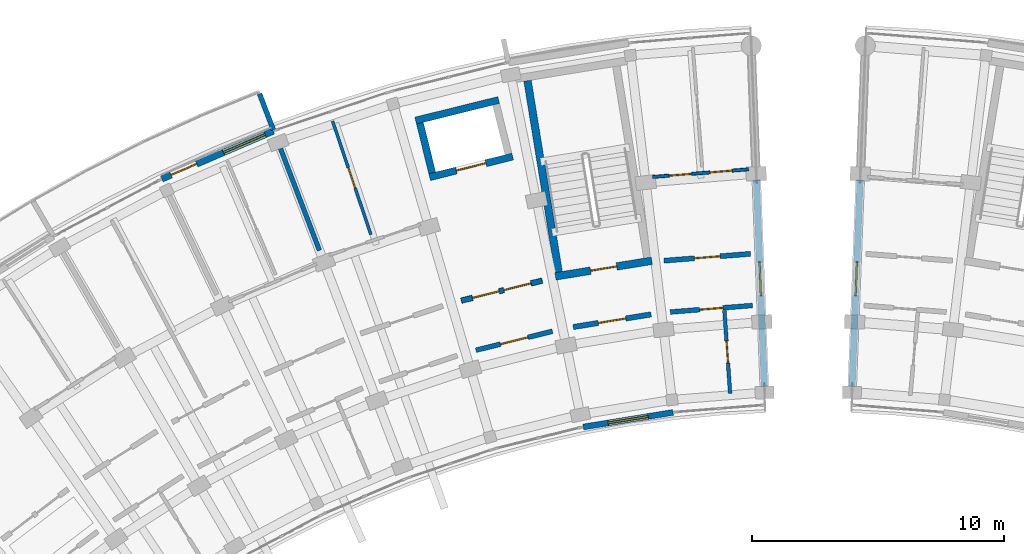
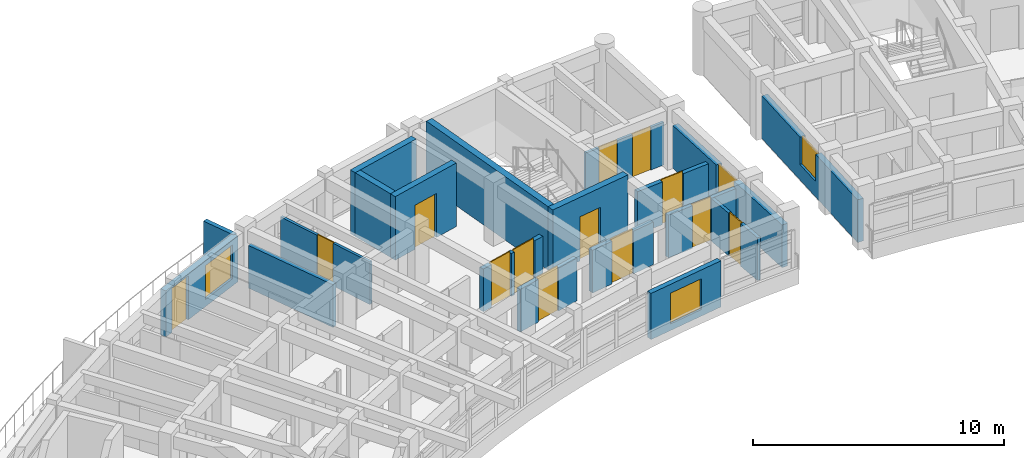
# One storey, part 30 of 55: 19 walls, 13 doors, 4 windows, 17 openings.
"""IFC4 building model written with IfcOpenShell, lengths in metres."""

from ifc_helpers import new_model, si_unit, direction, frame, frame_2d, origin, place, context, subcontext, project, spatial, rectangle, extrude, material, layer, layer_set, type_object, element, fill, save


model = new_model("IFC4")

# Units and contexts
model_context = context("Model", 3, precision=1e-05, world=origin(), true_north=direction((0.0, 1.0)))
body_context = subcontext(model_context, "Body", "Model", "MODEL_VIEW")
ifc_project = project(units=[si_unit("LENGTHUNIT", "METRE"), si_unit("AREAUNIT", "SQUARE_METRE"), si_unit("VOLUMEUNIT", "CUBIC_METRE"), si_unit("PLANEANGLEUNIT", "RADIAN"), si_unit("MASSUNIT", "GRAM", prefix="KILO")], contexts=[model_context])

# Site, building, storey
site_placement = place(None, origin())
site = spatial("IfcSite", under=ifc_project, at=site_placement, CompositionType="ELEMENT")
building_placement = place(site_placement, origin())
building = spatial("IfcBuilding", under=site, at=building_placement, Name="Zimvara Arc Housing Community", CompositionType="ELEMENT")
storey_placement = place(building_placement, frame((0.0, 0.0, 14.300048828125)))
storey = spatial("IfcBuildingStorey", under=building, at=storey_placement, Name="L04", CompositionType="ELEMENT", Elevation=14.300048828125)

# Wall, opening, window
ifc_material_1 = material(Name="Board-Marked Fair-Faced Concrete C35/45", Category="concrete")
ifc_layer_1 = layer(ifc_material_1, 0.22998046875)
ifc_layer_set_1 = layer_set([ifc_layer_1], Name="Board-Marked Fair-Faced Concrete C35/45")
wall_type_1 = type_object("IfcWallType", Name="EWL-CONC-230", PredefinedType="SOLIDWALL", material=ifc_layer_set_1)
wall_1_placement = place(storey_placement, frame((36.078125, 88.218017578125, 0.0), z_axis=(0.0, 0.0, 1.0), x_axis=(0.987080874485, 0.160222804952, 0.0)))
wall_1 = element("IfcWall", 1, at=wall_1_placement, inside=storey, type_object=wall_type_1, Name="ewall:blkA:L04:in:b8", PredefinedType="SOLIDWALL", context=body_context, shape_type="SweptSolid", body=[
    extrude(rectangle(XDim=3.603759765625, YDim=0.22998046875, at=frame_2d((1.8017578125, 0.0))), origin(), (0.0, 0.0, 1.0), 2.25),
])
opening_1_placement = place(wall_1_placement, frame((1.001708984375, 0.0, 0.320068359375)))
opening_1 = element("IfcOpeningElement", 2, at=opening_1_placement, cuts=wall_1, Name="Opening W03", PredefinedType="OPENING", context=body_context, shape_type="SweptSolid", body=[
    extrude(rectangle(XDim=1.60009765625, YDim=1.5, at=frame_2d((0.800048828125, 0.75))), frame((0.0, 0.125, 0.0), z_axis=(0.0, -1.0, 0.0), x_axis=(1.0, 0.0, 0.0)), (0.0, 0.0, 1.0), 0.25),
])
ifc_material_2 = material(Name="Solar Control Low-E Double Glazing", Category="glass")
window_type_1 = type_object("IfcWindowType", Name="WIN-RES-1600x1500", PartitioningType="DOUBLE_PANEL_VERTICAL", PredefinedType="WINDOW", material=ifc_material_2)
window_1_placement = place(opening_1_placement, origin())
window_1 = element("IfcWindow", 3, at=window_1_placement, inside=storey, type_object=window_type_1, Name="win:blkA:L04:in:b8", OverallHeight=1.5, OverallWidth=1.60009765625, PartitioningType="DOUBLE_PANEL_VERTICAL", PredefinedType="WINDOW", context=body_context, shape_type="SweptSolid", body=[
    extrude(rectangle(XDim=1.60009765625, YDim=1.5, at=frame_2d((0.800048828125, 0.75))), frame((0.0, 0.030029296875, 0.0), z_axis=(0.0, -1.0, 0.0), x_axis=(1.0, 0.0, 0.0)), (0.0, 0.0, 1.0), 0.06005859375),
])
fill(opening_1, window_1)

ifc_material_3 = material(Name="Board-Marked Fair-Faced Concrete C35/45", Category="concrete")
ifc_layer_2 = layer(ifc_material_3, 0.264892578125)
ifc_layer_set_2 = layer_set([ifc_layer_2], Name="Board-Marked Fair-Faced Concrete C35/45")
wall_type_2 = type_object("IfcWallType", Name="EWL-CONC-265", PredefinedType="SOLIDWALL", material=ifc_layer_set_2)
wall_2_placement = place(storey_placement, frame((43.2587890625, 89.82666015625, 0.0), z_axis=(0.0, 0.0, 1.0), x_axis=(-0.038407966241, 0.999262141847, 0.0)))
wall_2 = element("IfcWall", 4, at=wall_2_placement, inside=storey, type_object=wall_type_2, Name="ewall:blkA:L04:gN", PredefinedType="SOLIDWALL", context=body_context, shape_type="SweptSolid", body=[
    extrude(rectangle(XDim=8.199951171875, YDim=0.264892578125, at=frame_2d((4.10009765625, 0.0))), origin(), (0.0, 0.0, 1.0), 2.079833984375),
])
opening_2_placement = place(wall_2_placement, frame((3.590087890625, 0.0, 0.75)))
opening_2 = element("IfcOpeningElement", 5, at=opening_2_placement, cuts=wall_2, Name="Opening W12", PredefinedType="OPENING", context=body_context, shape_type="SweptSolid", body=[
    extrude(rectangle(XDim=1.35009765625, YDim=1.35009765625, at=frame_2d((0.675048828125, 0.675048828125))), frame((0.0, 0.142333984375, 0.0), z_axis=(0.0, -1.0, 0.0), x_axis=(1.0, 0.0, 0.0)), (0.0, 0.0, 1.0), 0.284912109375),
])
ifc_material_4 = material(Name="Solar Control Low-E Double Glazing", Category="glass")
window_type_2 = type_object("IfcWindowType", Name="WIN-RES-1350x1350", PartitioningType="DOUBLE_PANEL_VERTICAL", PredefinedType="WINDOW", material=ifc_material_4)
window_2_placement = place(opening_2_placement, origin())
window_2 = element("IfcWindow", 6, at=window_2_placement, inside=storey, type_object=window_type_2, Name="win:blkA:L04:gN:w", OverallHeight=1.35009765625, OverallWidth=1.35009765625, PartitioningType="DOUBLE_PANEL_VERTICAL", PredefinedType="WINDOW", context=body_context, shape_type="SweptSolid", body=[
    extrude(rectangle(XDim=1.35009765625, YDim=1.35009765625, at=frame_2d((0.675048828125, 0.675048828125))), frame((0.0, 0.030029296875, 0.0), z_axis=(0.0, -1.0, 0.0), x_axis=(1.0, 0.0, 0.0)), (0.0, 0.0, 1.0), 0.06005859375),
])
fill(opening_2, window_2)

wall_3_placement = place(storey_placement, frame((46.7412109375, 89.82666015625, 0.0), z_axis=(0.0, 0.0, 1.0), x_axis=(0.038407966241, 0.999262141847, 0.0)))
wall_3 = element("IfcWall", 7, at=wall_3_placement, inside=storey, type_object=wall_type_2, Name="ewall:blkB:L04:g0", PredefinedType="SOLIDWALL", context=body_context, shape_type="SweptSolid", body=[
    extrude(rectangle(XDim=8.199951171875, YDim=0.264892578125, at=frame_2d((4.10009765625, 0.0))), origin(), (0.0, 0.0, 1.0), 2.079833984375),
])
opening_3_placement = place(wall_3_placement, frame((3.590087890625, 0.0, 0.75)))
opening_3 = element("IfcOpeningElement", 8, at=opening_3_placement, cuts=wall_3, Name="Opening W12", PredefinedType="OPENING", context=body_context, shape_type="SweptSolid", body=[
    extrude(rectangle(XDim=1.35009765625, YDim=1.35009765625, at=frame_2d((0.675048828125, 0.675048828125))), frame((0.0, 0.142333984375, 0.0), z_axis=(0.0, -1.0, 0.0), x_axis=(1.0, 0.0, 0.0)), (0.0, 0.0, 1.0), 0.284912109375),
])
window_3_placement = place(opening_3_placement, origin())
window_3 = element("IfcWindow", 9, at=window_3_placement, inside=storey, type_object=window_type_2, Name="win:blkB:L04:g0:w", OverallHeight=1.35009765625, OverallWidth=1.35009765625, PartitioningType="DOUBLE_PANEL_VERTICAL", PredefinedType="WINDOW", context=body_context, shape_type="SweptSolid", body=[
    extrude(rectangle(XDim=1.35009765625, YDim=1.35009765625, at=frame_2d((0.675048828125, 0.675048828125))), frame((0.0, 0.030029296875, 0.0), z_axis=(0.0, -1.0, 0.0), x_axis=(1.0, 0.0, 0.0)), (0.0, 0.0, 1.0), 0.06005859375),
])
fill(opening_3, window_3)

# Wall
ifc_material_5 = material(Name="Board-Marked Fair-Faced Concrete C35/45", Category="concrete")
ifc_layer_3 = layer(ifc_material_5, 0.195068359375)
ifc_layer_set_3 = layer_set([ifc_layer_3], Name="Board-Marked Fair-Faced Concrete C35/45")
wall_type_3 = type_object("IfcWallType", Name="EWL-PARA-195", PredefinedType="PARAPET", material=ifc_layer_set_3)
wall_4_placement = place(storey_placement, frame((23.783203125, 100.0029296875, 0.0), z_axis=(0.0, 0.0, 1.0), x_axis=(-0.356957296461, 0.934120703391, 0.0)))
element("IfcWall", 10, at=wall_4_placement, inside=storey, type_object=wall_type_3, Name="finwall:blkA:L04:out:b6", PredefinedType="PARAPET", context=body_context, shape_type="SweptSolid", body=[
    extrude(rectangle(XDim=1.530029296875, YDim=0.195068359375, at=frame_2d((0.76513671875, 0.0))), origin(), (0.0, 0.0, 1.0), 2.25),
])

# Wall, openings, door, window
ifc_material_6 = material(Name="Board-Marked Fair-Faced Concrete C35/45", Category="concrete")
ifc_layer_4 = layer(ifc_material_6, 0.261962890625)
ifc_layer_set_4 = layer_set([ifc_layer_4], Name="Board-Marked Fair-Faced Concrete C35/45")
wall_type_4 = type_object("IfcWallType", Name="EWL-VAR-20", PredefinedType="SOLIDWALL", material=ifc_layer_set_4)
wall_5_placement = place(storey_placement, frame((19.361083984375, 98.05859375, 0.0), z_axis=(0.0, 0.0, 1.0), x_axis=(0.918711189033, 0.394930058548, 0.0)))
wall_5 = element("IfcWall", 11, at=wall_5_placement, inside=storey, type_object=wall_type_4, Name="ewall:blkA:L04:out:b5", PredefinedType="SOLIDWALL", context=body_context, shape_type="SweptSolid", body=[
    extrude(rectangle(XDim=4.808837890625, YDim=0.261962890625, at=frame_2d((2.404296875, 0.0))), origin(), (0.0, 0.0, 1.0), 2.25),
])
opening_4_placement = place(wall_5_placement, frame((0.39990234375, 0.0, 0.0)))
opening_4 = element("IfcOpeningElement", 12, at=opening_4_placement, cuts=wall_5, Name="Opening ED06", PredefinedType="OPENING", context=body_context, shape_type="SweptSolid", body=[
    extrude(rectangle(XDim=1.10009765625, YDim=2.14990234375, at=frame_2d((0.550048828125, 1.074951171875))), frame((0.0, 0.140869140625, 0.0), z_axis=(0.0, -1.0, 0.0), x_axis=(1.0, 0.0, 0.0)), (0.0, 0.0, 1.0), 0.281982421875),
])
opening_5_placement = place(wall_5_placement, frame((2.658935546875, 0.0, 0.35009765625)))
opening_5 = element("IfcOpeningElement", 13, at=opening_5_placement, cuts=wall_5, Name="Opening W08", PredefinedType="OPENING", context=body_context, shape_type="SweptSolid", body=[
    extrude(rectangle(XDim=1.800048828125, YDim=1.64990234375, at=frame_2d((0.89990234375, 0.824951171875))), frame((0.0, 0.140869140625, 0.0), z_axis=(0.0, -1.0, 0.0), x_axis=(1.0, 0.0, 0.0)), (0.0, 0.0, 1.0), 0.281982421875),
])
ifc_material_7 = material(Name="Anodised Aluminium AW-6063", Category="aluminium")
door_type_1 = type_object("IfcDoorType", Name="EDR-TERR-1100x2150", OperationType="NOTDEFINED", PredefinedType="DOOR", material=ifc_material_7)
door_1_placement = place(opening_4_placement, origin())
door_1 = element("IfcDoor", 14, at=door_1_placement, inside=storey, type_object=door_type_1, Name="edoor:blkA:L04:bal_out:b5", OperationType="SINGLE_SWING_LEFT", OverallHeight=2.14990234375, OverallWidth=1.10009765625, PredefinedType="DOOR", context=body_context, shape_type="SweptSolid", body=[
    extrude(rectangle(XDim=1.10009765625, YDim=2.14990234375, at=frame_2d((0.550048828125, 1.074951171875))), frame((0.0, 0.02490234375, 0.0), z_axis=(0.0, -1.0, 0.0), x_axis=(1.0, 0.0, 0.0)), (0.0, 0.0, 1.0), 0.050048828125),
])
fill(opening_4, door_1)
ifc_material_8 = material(Name="Solar Control Low-E Double Glazing", Category="glass")
window_type_3 = type_object("IfcWindowType", Name="WIN-RES-1800x1650", PartitioningType="TRIPLE_PANEL_VERTICAL", PredefinedType="WINDOW", material=ifc_material_8)
window_4_placement = place(opening_5_placement, origin())
window_4 = element("IfcWindow", 15, at=window_4_placement, inside=storey, type_object=window_type_3, Name="win:blkA:L04:out:b5:balw", OverallHeight=1.64990234375, OverallWidth=1.800048828125, PartitioningType="TRIPLE_PANEL_VERTICAL", PredefinedType="WINDOW", context=body_context, shape_type="SweptSolid", body=[
    extrude(rectangle(XDim=1.800048828125, YDim=1.64990234375, at=frame_2d((0.89990234375, 0.824951171875))), frame((0.0, 0.030029296875, 0.0), z_axis=(0.0, -1.0, 0.0), x_axis=(1.0, 0.0, 0.0)), (0.0, 0.0, 1.0), 0.06005859375),
])
fill(opening_5, window_4)

# Wall, openings, doors
ifc_material_9 = material(Name="Concrete C35/45", Category="concrete")
ifc_layer_5 = layer(ifc_material_9, 0.2099609375)
ifc_layer_set_5 = layer_set([ifc_layer_5], Name="Concrete C35/45")
wall_type_5 = type_object("IfcWallType", Name="IWL-CCF-210", PredefinedType="SOLIDWALL", material=ifc_layer_set_5)
wall_6_placement = place(storey_placement, frame((31.242919921875, 93.22998046875, 0.0), z_axis=(0.0, 0.0, 1.0), x_axis=(0.970719238682, 0.240216901263, 0.0)))
wall_6 = element("IfcWall", 16, at=wall_6_placement, inside=storey, type_object=wall_type_5, Name="iwall:blkA:L04:ll_div:b7", PredefinedType="SOLIDWALL", context=body_context, shape_type="SweptSolid", body=[
    extrude(rectangle(XDim=3.2958984375, YDim=0.2099609375, at=frame_2d((1.64794921875, 0.0))), origin(), (0.0, 0.0, 1.0), 2.079833984375),
])
opening_6_placement = place(wall_6_placement, frame((0.449951171875, 0.0, 0.0)))
opening_6 = element("IfcOpeningElement", 17, at=opening_6_placement, cuts=wall_6, Name="Opening FD-CCF1", PredefinedType="OPENING", context=body_context, shape_type="SweptSolid", body=[
    extrude(rectangle(XDim=1.10009765625, YDim=2.14990234375, at=frame_2d((0.550048828125, 1.074951171875))), frame((0.0, 0.114990234375, 0.0), z_axis=(0.0, -1.0, 0.0), x_axis=(1.0, 0.0, 0.0)), (0.0, 0.0, 1.0), 0.22998046875),
])
opening_7_placement = place(wall_6_placement, frame((1.72607421875, 0.0, 0.0)))
opening_7 = element("IfcOpeningElement", 18, at=opening_7_placement, cuts=wall_6, Name="Opening D07", PredefinedType="OPENING", context=body_context, shape_type="SweptSolid", body=[
    extrude(rectangle(XDim=1.1201171875, YDim=2.14990234375, at=frame_2d((0.56005859375, 1.074951171875))), frame((0.0, 0.114990234375, 0.0), z_axis=(0.0, -1.0, 0.0), x_axis=(1.0, 0.0, 0.0)), (0.0, 0.0, 1.0), 0.22998046875),
])
ifc_material_10 = material(Name="Mozambican Hardwood", Category="wood")
door_type_2 = type_object("IfcDoorType", Name="IDR-AMN-1120x2150", OperationType="NOTDEFINED", PredefinedType="DOOR", material=ifc_material_10)
door_2_placement = place(opening_7_placement, origin())
door_2 = element("IfcDoor", 19, at=door_2_placement, inside=storey, type_object=door_type_2, Name="idoor:blkA:L04:rs_in:b7", OperationType="SINGLE_SWING_LEFT", OverallHeight=2.14990234375, OverallWidth=1.1201171875, PredefinedType="DOOR", context=body_context, shape_type="SweptSolid", body=[
    extrude(rectangle(XDim=1.1201171875, YDim=2.14990234375, at=frame_2d((0.56005859375, 1.074951171875))), frame((0.0, 0.02490234375, 0.0), z_axis=(0.0, -1.0, 0.0), x_axis=(1.0, 0.0, 0.0)), (0.0, 0.0, 1.0), 0.050048828125),
])
fill(opening_7, door_2)
ifc_material_11 = material(Name="Anodised Aluminium AW-6063", Category="aluminium")
door_type_3 = type_object("IfcDoorType", Name="IDR-CCF-1100x2150", OperationType="NOTDEFINED", PredefinedType="DOOR", material=ifc_material_11)
door_3_placement = place(opening_6_placement, origin())
door_3 = element("IfcDoor", 20, at=door_3_placement, inside=storey, type_object=door_type_3, Name="idoor:blkA:L04:ll_in:b7", OperationType="SINGLE_SWING_RIGHT", OverallHeight=2.14990234375, OverallWidth=1.10009765625, PredefinedType="DOOR", context=body_context, shape_type="SweptSolid", body=[
    extrude(rectangle(XDim=1.10009765625, YDim=2.14990234375, at=frame_2d((0.550048828125, 1.074951171875))), frame((0.0, 0.02490234375, 0.0), z_axis=(0.0, -1.0, 0.0), x_axis=(1.0, 0.0, 0.0)), (0.0, 0.0, 1.0), 0.050048828125),
])
fill(opening_6, door_3)

# Wall, opening, door
wall_7_placement = place(storey_placement, frame((35.675537109375, 92.181396484375, 0.0), z_axis=(0.0, 0.0, 1.0), x_axis=(0.98707079686, 0.160284877599, 0.0)))
wall_7 = element("IfcWall", 21, at=wall_7_placement, inside=storey, type_object=wall_type_5, Name="iwall:blkA:L04:ccf_div:b8", PredefinedType="SOLIDWALL", context=body_context, shape_type="SweptSolid", body=[
    extrude(rectangle(XDim=3.128662109375, YDim=0.2099609375, at=frame_2d((1.564453125, 0.0))), origin(), (0.0, 0.0, 1.0), 2.079833984375),
])
opening_8_placement = place(wall_7_placement, frame((1.014404296875, 0.0, 0.0)))
opening_8 = element("IfcOpeningElement", 22, at=opening_8_placement, cuts=wall_7, Name="Opening FD-CCF1", PredefinedType="OPENING", context=body_context, shape_type="SweptSolid", body=[
    extrude(rectangle(XDim=1.10009765625, YDim=2.14990234375, at=frame_2d((0.550048828125, 1.074951171875))), frame((0.0, 0.114990234375, 0.0), z_axis=(0.0, -1.0, 0.0), x_axis=(1.0, 0.0, 0.0)), (0.0, 0.0, 1.0), 0.22998046875),
])
door_4_placement = place(opening_8_placement, origin())
door_4 = element("IfcDoor", 23, at=door_4_placement, inside=storey, type_object=door_type_3, Name="idoor:blkA:L04:ccf_in:b8", OperationType="SINGLE_SWING_LEFT", OverallHeight=2.14990234375, OverallWidth=1.10009765625, PredefinedType="DOOR", context=body_context, shape_type="SweptSolid", body=[
    extrude(rectangle(XDim=1.10009765625, YDim=2.14990234375, at=frame_2d((0.550048828125, 1.074951171875))), frame((0.0, 0.02490234375, 0.0), z_axis=(0.0, -1.0, 0.0), x_axis=(1.0, 0.0, 0.0)), (0.0, 0.0, 1.0), 0.050048828125),
])
fill(opening_8, door_4)

ifc_material_12 = material(Name="Concrete C35/45", Category="concrete")
ifc_layer_6 = layer(ifc_material_12, 0.18994140625)
ifc_layer_set_6 = layer_set([ifc_layer_6], Name="Concrete C35/45")
wall_type_6 = type_object("IfcWallType", Name="IWL-CORR-190", PredefinedType="SOLIDWALL", material=ifc_layer_set_6)
wall_8_placement = place(storey_placement, frame((31.816162109375, 91.26171875, 0.0), z_axis=(0.0, 0.0, 1.0), x_axis=(0.970727194092, 0.240184751078, 0.0)))
wall_8 = element("IfcWall", 24, at=wall_8_placement, inside=storey, type_object=wall_type_6, Name="iwall:blkA:L04:ra_div:b7", PredefinedType="SOLIDWALL", context=body_context, shape_type="SweptSolid", body=[
    extrude(rectangle(XDim=3.128662109375, YDim=0.18994140625, at=frame_2d((1.564453125, 0.0))), origin(), (0.0, 0.0, 1.0), 2.079833984375),
])
opening_9_placement = place(wall_8_placement, frame((1.00439453125, 0.0, 0.0)))
opening_9 = element("IfcOpeningElement", 25, at=opening_9_placement, cuts=wall_8, Name="Opening D07", PredefinedType="OPENING", context=body_context, shape_type="SweptSolid", body=[
    extrude(rectangle(XDim=1.1201171875, YDim=2.14990234375, at=frame_2d((0.56005859375, 1.074951171875))), frame((0.0, 0.10498046875, 0.0), z_axis=(0.0, -1.0, 0.0), x_axis=(1.0, 0.0, 0.0)), (0.0, 0.0, 1.0), 0.2099609375),
])
door_5_placement = place(opening_9_placement, origin())
door_5 = element("IfcDoor", 26, at=door_5_placement, inside=storey, type_object=door_type_2, Name="idoor:blkA:L04:ra_d:b7", OperationType="SINGLE_SWING_RIGHT", OverallHeight=2.14990234375, OverallWidth=1.1201171875, PredefinedType="DOOR", context=body_context, shape_type="SweptSolid", body=[
    extrude(rectangle(XDim=1.1201171875, YDim=2.14990234375, at=frame_2d((0.56005859375, 1.074951171875))), frame((0.0, 0.02490234375, 0.0), z_axis=(0.0, -1.0, 0.0), x_axis=(1.0, 0.0, 0.0)), (0.0, 0.0, 1.0), 0.050048828125),
])
fill(opening_9, door_5)

wall_9_placement = place(storey_placement, frame((39.527099609375, 92.77783203125, 0.0), z_axis=(0.0, 0.0, 1.0), x_axis=(0.99686660806, 0.07910098441, 0.0)))
wall_9 = element("IfcWall", 27, at=wall_9_placement, inside=storey, type_object=wall_type_6, Name="iwall:blkA:L04:corr_in:b9", PredefinedType="SOLIDWALL", context=body_context, shape_type="SweptSolid", body=[
    extrude(rectangle(XDim=3.2685546875, YDim=0.18994140625, at=frame_2d((1.63427734375, 0.0))), origin(), (0.0, 0.0, 1.0), 2.079833984375),
])
opening_10_placement = place(wall_9_placement, frame((1.17431640625, 0.0, 0.0)))
opening_10 = element("IfcOpeningElement", 28, at=opening_10_placement, cuts=wall_9, Name="Opening D02", PredefinedType="OPENING", context=body_context, shape_type="SweptSolid", body=[
    extrude(rectangle(XDim=0.919921875, YDim=2.10009765625, at=frame_2d((0.4599609375, 1.050048828125))), frame((0.0, 0.10498046875, 0.0), z_axis=(0.0, -1.0, 0.0), x_axis=(1.0, 0.0, 0.0)), (0.0, 0.0, 1.0), 0.2099609375),
])
ifc_material_13 = material(Name="Mozambican Hardwood", Category="wood")
door_type_4 = type_object("IfcDoorType", Name="IDR-RM-0920x2100", OperationType="NOTDEFINED", PredefinedType="DOOR", material=ifc_material_13)
door_6_placement = place(opening_10_placement, origin())
door_6 = element("IfcDoor", 29, at=door_6_placement, inside=storey, type_object=door_type_4, Name="idoor:blkA:L04:in_rm:b9", OperationType="SINGLE_SWING_LEFT", OverallHeight=2.10009765625, OverallWidth=0.919921875, PredefinedType="DOOR", context=body_context, shape_type="SweptSolid", body=[
    extrude(rectangle(XDim=0.919921875, YDim=2.10009765625, at=frame_2d((0.4599609375, 1.050048828125))), frame((0.0, 0.02490234375, 0.0), z_axis=(0.0, -1.0, 0.0), x_axis=(1.0, 0.0, 0.0)), (0.0, 0.0, 1.0), 0.050048828125),
])
fill(opening_10, door_6)

ifc_material_14 = material(Name="Concrete C35/45", Category="concrete")
ifc_layer_7 = layer(ifc_material_14, 0.199951171875)
ifc_layer_set_7 = layer_set([ifc_layer_7], Name="Concrete C35/45")
wall_type_7 = type_object("IfcWallType", Name="IWL-CORR-200", PredefinedType="SOLIDWALL", material=ifc_layer_set_7)
wall_10_placement = place(storey_placement, frame((39.281494140625, 94.81298828125, 0.0), z_axis=(0.0, 0.0, 1.0), x_axis=(0.996862545573, 0.079152165058, 0.0)))
wall_10 = element("IfcWall", 30, at=wall_10_placement, inside=storey, type_object=wall_type_7, Name="iwall:blkA:L04:corr_out:b9", PredefinedType="SOLIDWALL", context=body_context, shape_type="SweptSolid", body=[
    extrude(rectangle(XDim=3.43603515625, YDim=0.199951171875, at=frame_2d((1.718017578125, 0.0))), origin(), (0.0, 0.0, 1.0), 2.079833984375),
])
opening_11_placement = place(wall_10_placement, frame((1.2080078125, 0.0, 0.0)))
opening_11 = element("IfcOpeningElement", 31, at=opening_11_placement, cuts=wall_10, Name="Opening FD-FL2", PredefinedType="OPENING", context=body_context, shape_type="SweptSolid", body=[
    extrude(rectangle(XDim=1.02001953125, YDim=2.14990234375, at=frame_2d((0.510009765625, 1.074951171875))), frame((0.0, 0.10986328125, 0.0), z_axis=(0.0, -1.0, 0.0), x_axis=(1.0, 0.0, 0.0)), (0.0, 0.0, 1.0), 0.219970703125),
])
ifc_material_15 = material(Name="Mozambican Hardwood", Category="wood")
door_type_5 = type_object("IfcDoorType", Name="IDR-FLAT-1020x2150", OperationType="NOTDEFINED", PredefinedType="DOOR", material=ifc_material_15)
door_7_placement = place(opening_11_placement, origin())
door_7 = element("IfcDoor", 32, at=door_7_placement, inside=storey, type_object=door_type_5, Name="idoor:blkA:L04:flat:b9", OperationType="SINGLE_SWING_RIGHT", OverallHeight=2.14990234375, OverallWidth=1.02001953125, PredefinedType="DOOR", context=body_context, shape_type="SweptSolid", body=[
    extrude(rectangle(XDim=1.02001953125, YDim=2.14990234375, at=frame_2d((0.510009765625, 1.074951171875))), frame((0.0, 0.02490234375, 0.0), z_axis=(0.0, -1.0, 0.0), x_axis=(1.0, 0.0, 0.0)), (0.0, 0.0, 1.0), 0.050048828125),
])
fill(opening_11, door_7)

# Wall
ifc_material_16 = material(Name="Concrete C35/45", Category="concrete")
ifc_layer_8 = layer(ifc_material_16, 0.18505859375)
ifc_layer_set_8 = layer_set([ifc_layer_8], Name="Concrete C35/45")
wall_type_8 = type_object("IfcWallType", Name="IWL-FLAT-185", PredefinedType="SOLIDWALL", material=ifc_layer_set_8)
wall_11_placement = place(storey_placement, frame((25.611328125, 95.220458984375, 0.0), z_axis=(0.0, 0.0, 1.0), x_axis=(-0.357064016205, 0.934079915388, 0.0)))
element("IfcWall", 33, at=wall_11_placement, inside=storey, type_object=wall_type_8, Name="iwall:blkA:L04:party:b6", PredefinedType="SOLIDWALL", context=body_context, shape_type="SweptSolid", body=[
    extrude(rectangle(XDim=4.35009765625, YDim=0.18505859375, at=frame_2d((2.175048828125, 0.0))), origin(), (0.0, 0.0, 1.0), 2.079833984375),
])

# Wall, opening, door
ifc_material_17 = material(Name="Painted Acoustic Plasterboard")
ifc_layer_9 = layer(ifc_material_17, 0.1201171875)
ifc_layer_set_9 = layer_set([ifc_layer_9], Name="Painted Acoustic Plasterboard")
wall_type_9 = type_object("IfcWallType", Name="IWL-PART-120", PredefinedType="PARTITIONING", material=ifc_layer_set_9)
wall_12_placement = place(storey_placement, frame((27.65283203125, 95.848876953125, 0.0), z_axis=(0.0, 0.0, 1.0), x_axis=(-0.320049134076, 0.947400945628, 0.0)))
wall_12 = element("IfcWall", 34, at=wall_12_placement, inside=storey, type_object=wall_type_9, Name="iwall:blkA:L04:bed_div:b6", PredefinedType="PARTITIONING", context=body_context, shape_type="SweptSolid", body=[
    extrude(rectangle(XDim=4.75, YDim=0.1201171875, at=frame_2d((2.375, 0.0))), origin(), (0.0, 0.0, 1.0), 2.079833984375),
])
opening_12_placement = place(wall_12_placement, frame((1.949951171875, 0.0, 0.0)))
opening_12 = element("IfcOpeningElement", 35, at=opening_12_placement, cuts=wall_12, Name="Opening D11", PredefinedType="OPENING", context=body_context, shape_type="SweptSolid", body=[
    extrude(rectangle(XDim=0.85009765625, YDim=2.10009765625, at=frame_2d((0.425048828125, 1.050048828125))), frame((0.0, 0.070068359375, 0.0), z_axis=(0.0, -1.0, 0.0), x_axis=(1.0, 0.0, 0.0)), (0.0, 0.0, 1.0), 0.14013671875),
])
ifc_material_18 = material(Name="Mozambican Hardwood", Category="wood")
door_type_6 = type_object("IfcDoorType", Name="IDR-MOD-850x2060", OperationType="NOTDEFINED", PredefinedType="DOOR", material=ifc_material_18)
door_8_placement = place(opening_12_placement, origin())
door_8 = element("IfcDoor", 36, at=door_8_placement, inside=storey, type_object=door_type_6, Name="idoor:blkA:L04:bed_d:b6", OperationType="SINGLE_SWING_LEFT", OverallHeight=2.10009765625, OverallWidth=0.85009765625, PredefinedType="DOOR", context=body_context, shape_type="SweptSolid", body=[
    extrude(rectangle(XDim=0.85009765625, YDim=2.10009765625, at=frame_2d((0.425048828125, 1.050048828125))), frame((0.0, 0.02490234375, 0.0), z_axis=(0.0, -1.0, 0.0), x_axis=(1.0, 0.0, 0.0)), (0.0, 0.0, 1.0), 0.050048828125),
])
fill(opening_12, door_8)

# Wall, openings, doors
wall_13_placement = place(storey_placement, frame((38.830322265625, 98.135009765625, 0.0), z_axis=(0.0, 0.0, 1.0), x_axis=(0.996862985267, 0.079146627246, 0.0)))
wall_13 = element("IfcWall", 37, at=wall_13_placement, inside=storey, type_object=wall_type_9, Name="iwall:blkA:L04:srv:b9", PredefinedType="PARTITIONING", context=body_context, shape_type="SweptSolid", body=[
    extrude(rectangle(XDim=3.8095703125, YDim=0.1201171875, at=frame_2d((1.90478515625, 0.0))), origin(), (0.0, 0.0, 1.0), 2.079833984375),
])
opening_13_placement = place(wall_13_placement, frame((0.64990234375, 0.0, 0.0)))
opening_13 = element("IfcOpeningElement", 38, at=opening_13_placement, cuts=wall_13, Name="Opening D01", PredefinedType="OPENING", context=body_context, shape_type="SweptSolid", body=[
    extrude(rectangle(XDim=0.89990234375, YDim=2.10009765625, at=frame_2d((0.449951171875, 1.050048828125))), frame((0.0, 0.070068359375, 0.0), z_axis=(0.0, -1.0, 0.0), x_axis=(1.0, 0.0, 0.0)), (0.0, 0.0, 1.0), 0.14013671875),
])
opening_14_placement = place(wall_13_placement, frame((2.279541015625, 0.0, 0.0)))
opening_14 = element("IfcOpeningElement", 39, at=opening_14_placement, cuts=wall_13, Name="Opening D05", PredefinedType="OPENING", context=body_context, shape_type="SweptSolid", body=[
    extrude(rectangle(XDim=0.8798828125, YDim=2.10009765625, at=frame_2d((0.43994140625, 1.050048828125))), frame((0.0, 0.070068359375, 0.0), z_axis=(0.0, -1.0, 0.0), x_axis=(1.0, 0.0, 0.0)), (0.0, 0.0, 1.0), 0.14013671875),
])
ifc_material_19 = material(Name="Mozambican Hardwood", Category="wood")
door_type_7 = type_object("IfcDoorType", Name="IDR-RM-0900x2100", OperationType="NOTDEFINED", PredefinedType="DOOR", material=ifc_material_19)
door_9_placement = place(opening_13_placement, origin())
door_9 = element("IfcDoor", 40, at=door_9_placement, inside=storey, type_object=door_type_7, Name="idoor:blkA:L04:kit_liv:b9", OperationType="SINGLE_SWING_LEFT", OverallHeight=2.10009765625, OverallWidth=0.89990234375, PredefinedType="DOOR", context=body_context, shape_type="SweptSolid", body=[
    extrude(rectangle(XDim=0.89990234375, YDim=2.10009765625, at=frame_2d((0.449951171875, 1.050048828125))), frame((0.0, 0.02490234375, 0.0), z_axis=(0.0, -1.0, 0.0), x_axis=(1.0, 0.0, 0.0)), (0.0, 0.0, 1.0), 0.050048828125),
])
fill(opening_13, door_9)
ifc_material_20 = material(Name="Mozambican Hardwood", Category="wood")
door_type_8 = type_object("IfcDoorType", Name="IDR-WC-0880x2100", OperationType="NOTDEFINED", PredefinedType="DOOR", material=ifc_material_20)
door_10_placement = place(opening_14_placement, origin())
door_10 = element("IfcDoor", 41, at=door_10_placement, inside=storey, type_object=door_type_8, Name="idoor:blkA:L04:bath_d:b9", OperationType="SINGLE_SWING_RIGHT", OverallHeight=2.10009765625, OverallWidth=0.8798828125, PredefinedType="DOOR", context=body_context, shape_type="SweptSolid", body=[
    extrude(rectangle(XDim=0.8798828125, YDim=2.10009765625, at=frame_2d((0.43994140625, 1.050048828125))), frame((0.0, 0.02490234375, 0.0), z_axis=(0.0, -1.0, 0.0), x_axis=(1.0, 0.0, 0.0)), (0.0, 0.0, 1.0), 0.050048828125),
])
fill(opening_14, door_10)

# Wall, opening, door
ifc_material_21 = material(Name="Painted Acoustic Plasterboard")
ifc_layer_10 = layer(ifc_material_21, 0.14501953125)
ifc_layer_set_10 = layer_set([ifc_layer_10], Name="Painted Acoustic Plasterboard")
wall_type_10 = type_object("IfcWallType", Name="IWL-WET-145", PredefinedType="PARTITIONING", material=ifc_layer_set_10)
wall_14_placement = place(storey_placement, frame((41.9013671875, 89.54345703125, 0.0), z_axis=(0.0, 0.0, 1.0), x_axis=(-0.068581194944, 0.997645538105, 0.0)))
wall_14 = element("IfcWall", 42, at=wall_14_placement, inside=storey, type_object=wall_type_10, Name="iwall:blkA:L04:ens:b9", PredefinedType="PARTITIONING", context=body_context, shape_type="SweptSolid", body=[
    extrude(rectangle(XDim=3.300048828125, YDim=0.14501953125, at=frame_2d((1.64990234375, 0.0))), origin(), (0.0, 0.0, 1.0), 2.079833984375),
])
opening_15_placement = place(wall_14_placement, frame((1.2099609375, 0.0, 0.0)))
opening_15 = element("IfcOpeningElement", 43, at=opening_15_placement, cuts=wall_14, Name="Opening D05", PredefinedType="OPENING", context=body_context, shape_type="SweptSolid", body=[
    extrude(rectangle(XDim=0.8798828125, YDim=2.10009765625, at=frame_2d((0.43994140625, 1.050048828125))), frame((0.0, 0.08251953125, 0.0), z_axis=(0.0, -1.0, 0.0), x_axis=(1.0, 0.0, 0.0)), (0.0, 0.0, 1.0), 0.1650390625),
])
door_11_placement = place(opening_15_placement, origin())
door_11 = element("IfcDoor", 44, at=door_11_placement, inside=storey, type_object=door_type_8, Name="idoor:blkA:L04:ens_d:b9", OperationType="SINGLE_SWING_RIGHT", OverallHeight=2.10009765625, OverallWidth=0.8798828125, PredefinedType="DOOR", context=body_context, shape_type="SweptSolid", body=[
    extrude(rectangle(XDim=0.8798828125, YDim=2.10009765625, at=frame_2d((0.43994140625, 1.050048828125))), frame((0.0, 0.02490234375, 0.0), z_axis=(0.0, -1.0, 0.0), x_axis=(1.0, 0.0, 0.0)), (0.0, 0.0, 1.0), 0.050048828125),
])
fill(opening_15, door_11)

ifc_material_22 = material(Name="Concrete C40/50", Category="concrete")
ifc_layer_11 = layer(ifc_material_22, 0.280029296875)
ifc_layer_set_11 = layer_set([ifc_layer_11], Name="Concrete C40/50")
wall_type_11 = type_object("IfcWallType", Name="WL-CORE-280", PredefinedType="SHEAR", material=ifc_layer_set_11)
wall_15_placement = place(storey_placement, frame((33.27294921875, 98.942138671875, 0.0), z_axis=(0.0, 0.0, 1.0), x_axis=(-0.970707542441, -0.240264160972, 0.0)))
wall_15 = element("IfcWall", 45, at=wall_15_placement, inside=storey, type_object=wall_type_11, Name="lwall:LF-A2:L04:front", PredefinedType="SHEAR", context=body_context, shape_type="SweptSolid", body=[
    extrude(rectangle(XDim=3.389892578125, YDim=0.280029296875, at=frame_2d((1.69482421875, 0.0))), origin(), (0.0, 0.0, 1.0), 3.099853515625),
])
opening_16_placement = place(wall_15_placement, frame((1.094970703125, 0.0, 0.0)))
opening_16 = element("IfcOpeningElement", 46, at=opening_16_placement, cuts=wall_15, Name="Opening LD-LF-A2", PredefinedType="OPENING", context=body_context, shape_type="SweptSolid", body=[
    extrude(rectangle(XDim=1.199951171875, YDim=2.14990234375, at=frame_2d((0.60009765625, 1.074951171875))), frame((0.0, 0.14990234375, 0.0), z_axis=(0.0, -1.0, 0.0), x_axis=(1.0, 0.0, 0.0)), (0.0, 0.0, 1.0), 0.300048828125),
])
ifc_material_23 = material(Name="Anodised Aluminium AW-6063", Category="aluminium")
door_type_9 = type_object("IfcDoorType", Name="IDR-LD-1200x2150", OperationType="DOUBLE_DOOR_SLIDING", PredefinedType="DOOR", material=ifc_material_23)
door_12_placement = place(opening_16_placement, origin())
door_12 = element("IfcDoor", 47, at=door_12_placement, inside=storey, type_object=door_type_9, Name="Lift LF-A2 Sliding Landing Door L04", OperationType="DOUBLE_DOOR_SLIDING", OverallHeight=2.14990234375, OverallWidth=1.199951171875, PredefinedType="DOOR", context=body_context, shape_type="SweptSolid", body=[
    extrude(rectangle(XDim=1.199951171875, YDim=2.14990234375, at=frame_2d((0.60009765625, 1.074951171875))), frame((0.0, 0.02490234375, 0.0), z_axis=(0.0, -1.0, 0.0), x_axis=(1.0, 0.0, 0.0)), (0.0, 0.0, 1.0), 0.050048828125),
])
fill(opening_16, door_12)

# Walls
wall_16_placement = place(storey_placement, frame((32.71826171875, 101.1845703125, 0.0), z_axis=(0.0, 0.0, 1.0), x_axis=(-0.970711699588, -0.240247364777, 0.0)))
element("IfcWall", 48, at=wall_16_placement, inside=storey, type_object=wall_type_11, Name="lwall:LF-A2:L04:back", PredefinedType="SHEAR", context=body_context, shape_type="SweptSolid", body=[
    extrude(rectangle(XDim=3.39013671875, YDim=0.280029296875, at=frame_2d((1.695068359375, 0.0))), origin(), (0.0, 0.0, 1.0), 3.099853515625),
])
wall_17_placement = place(storey_placement, frame((30.084716796875, 98.29736328125, 0.0), z_axis=(0.0, 0.0, 1.0), x_axis=(-0.2402993748, 0.970698825832, 0.0)))
element("IfcWall", 49, at=wall_17_placement, inside=storey, type_object=wall_type_11, Name="lwall:LF-A2:L04:right", PredefinedType="SHEAR", context=body_context, shape_type="SweptSolid", body=[
    extrude(rectangle(XDim=2.030029296875, YDim=0.280029296875, at=frame_2d((1.01513671875, 0.0))), origin(), (0.0, 0.0, 1.0), 3.099853515625),
])

# Wall, opening, door
ifc_material_24 = material(Name="Concrete C40/50", Category="concrete")
ifc_layer_12 = layer(ifc_material_24, 0.300048828125)
ifc_layer_set_12 = layer_set([ifc_layer_12], Name="Concrete C40/50")
wall_type_12 = type_object("IfcWallType", Name="WL-CORE-300", PredefinedType="SHEAR", material=ifc_layer_set_12)
wall_18_placement = place(storey_placement, frame((38.793701171875, 94.810546875, 0.0), z_axis=(0.0, 0.0, 1.0), x_axis=(-0.987077443397, -0.160243941341, 0.0)))
wall_18 = element("IfcWall", 50, at=wall_18_placement, inside=storey, type_object=wall_type_12, Name="cwall:ST-A2:L04:near", PredefinedType="SHEAR", context=body_context, shape_type="SweptSolid", body=[
    extrude(rectangle(XDim=3.869873046875, YDim=0.300048828125, at=frame_2d((1.93505859375, 0.0))), origin(), (0.0, 0.0, 1.0), 3.099853515625),
])
opening_17_placement = place(wall_18_placement, frame((1.409912109375, 0.0, 0.0)))
opening_17 = element("IfcOpeningElement", 51, at=opening_17_placement, cuts=wall_18, Name="Opening FD-ST2", PredefinedType="OPENING", context=body_context, shape_type="SweptSolid", body=[
    extrude(rectangle(XDim=1.050048828125, YDim=2.14990234375, at=frame_2d((0.52490234375, 1.074951171875))), frame((0.0, 0.159912109375, 0.0), z_axis=(0.0, -1.0, 0.0), x_axis=(1.0, 0.0, 0.0)), (0.0, 0.0, 1.0), 0.320068359375),
])
ifc_material_25 = material(Name="Anodised Aluminium AW-6063", Category="aluminium")
door_type_10 = type_object("IfcDoorType", Name="IDR-ST-1050x2150", OperationType="NOTDEFINED", PredefinedType="DOOR", material=ifc_material_25)
door_13_placement = place(opening_17_placement, origin())
door_13 = element("IfcDoor", 52, at=door_13_placement, inside=storey, type_object=door_type_10, Name="idoor:ST-A2:L04:entry", OperationType="SINGLE_SWING_RIGHT", OverallHeight=2.14990234375, OverallWidth=1.050048828125, PredefinedType="DOOR", context=body_context, shape_type="SweptSolid", body=[
    extrude(rectangle(XDim=1.050048828125, YDim=2.14990234375, at=frame_2d((0.52490234375, 1.074951171875))), frame((0.0, 0.02490234375, 0.0), z_axis=(0.0, -1.0, 0.0), x_axis=(1.0, 0.0, 0.0)), (0.0, 0.0, 1.0), 0.050048828125),
])
fill(opening_17, door_13)

# Wall
wall_19_placement = place(storey_placement, frame((35.097900390625, 94.362548828125, 0.0), z_axis=(0.0, 0.0, 1.0), x_axis=(-0.160227496777, 0.987080112897, 0.0)))
element("IfcWall", 53, at=wall_19_placement, inside=storey, type_object=wall_type_12, Name="cwall:ST-A2:L04:right", PredefinedType="SHEAR", context=body_context, shape_type="SweptSolid", body=[
    extrude(rectangle(XDim=7.690185546875, YDim=0.300048828125, at=frame_2d((3.84521484375, 0.0))), origin(), (0.0, 0.0, 1.0), 3.099853515625),
])

save(model, "model.ifc")
